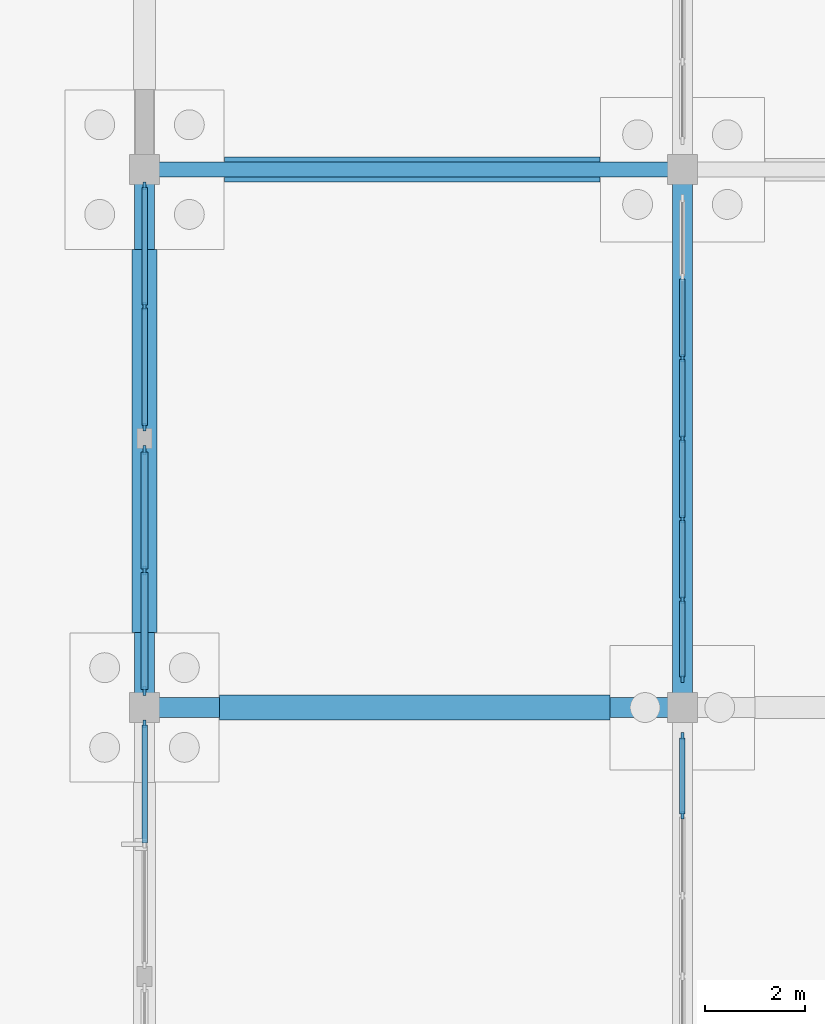
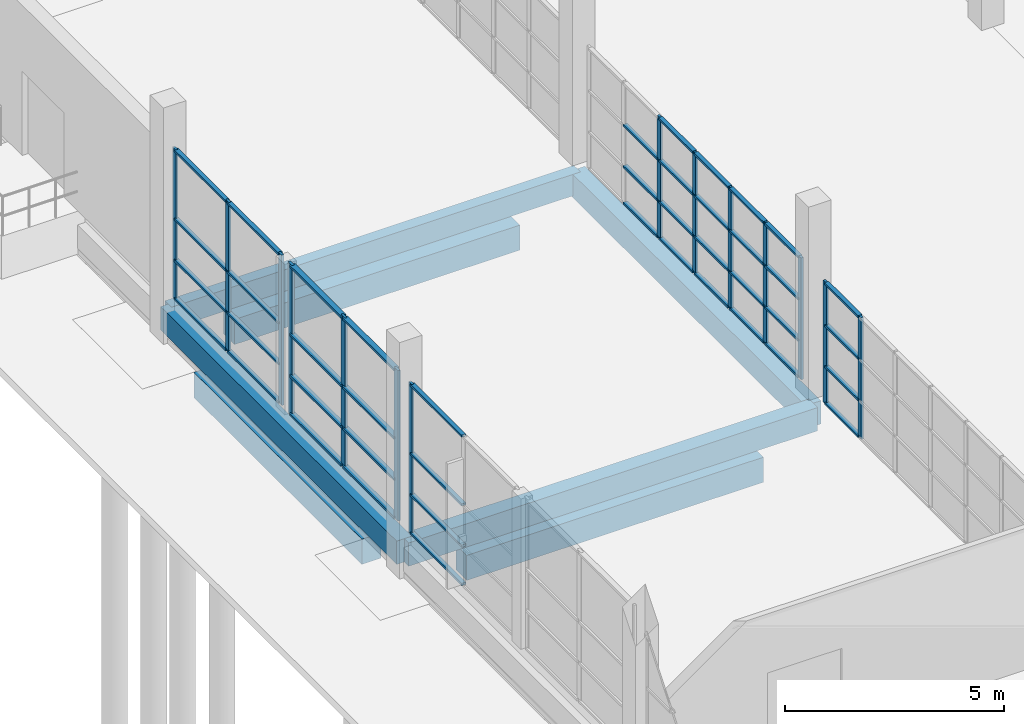
# One storey, part 22 of 138: 57 members, 7 beams, 5 elements without a shape of their own.
"""IFC4 building model written with IfcOpenShell, lengths in metres."""

from ifc_helpers import new_model, si_unit, direction, frame, origin, origin_2d, place, context, subcontext, project, spatial, rectangle, extrude, material, material_profile, profile_set, type_object, element, aggregate, save


model = new_model("IFC4")

# Units and contexts
model_context = context("Model", 3, precision=1e-05, world=origin(), true_north=direction((0.0, 1.0)))
body_context = subcontext(model_context, "Body", "Model", "MODEL_VIEW")
ifc_project = project(units=[si_unit("LENGTHUNIT", "METRE"), si_unit("AREAUNIT", "SQUARE_METRE"), si_unit("VOLUMEUNIT", "CUBIC_METRE"), si_unit("PLANEANGLEUNIT", "RADIAN"), si_unit("MASSUNIT", "GRAM", prefix="KILO")], contexts=[model_context])

# Site, building, storey
site_placement = place(None, origin())
site = spatial("IfcSite", under=ifc_project, at=site_placement, CompositionType="ELEMENT")
building_placement = place(site_placement, origin())
building = spatial("IfcBuilding", under=site, at=building_placement, Name="Zwinboog Wholesale Market", CompositionType="ELEMENT")
storey_placement = place(building_placement, origin())
storey = spatial("IfcBuildingStorey", under=building, at=storey_placement, Name="L00", CompositionType="ELEMENT", Elevation=0.0)

# Beams
ifc_material_1 = material(Name="Precast concrete C45/55", Category="concrete")
ifc_material_profile_1 = material_profile(ifc_material_1, rectangle(XDim=0.39990234375, YDim=0.64990234375, at=origin_2d()), Name="PC 400x650")
ifc_profile_set_1 = profile_set([ifc_material_profile_1], Name="Precast concrete C45/55")
beam_type_1 = type_object("IfcBeamType", Name="BT-05", PredefinedType="BEAM", material=ifc_profile_set_1)
for number, where, z_axis, x_axis, name in (
    (1, (0.0, 32.39990234375, -0.680908203125), (1.0, 0.0, 0.0), (0.0, 1.0, 0.0), "BG-05 (BMG-L00-0000-0324-0043)"),
    (2, (0.0, 32.39990234375, -0.680908203125), (0.0, 1.0, 0.0), (-1.0, 0.0, 0.0), "BG-05 (BMG-L00-0000-0324-0214)"),
    (3, (10.800048828125, 32.39990234375, -0.680908203125), (0.0, 1.0, 0.0), (-1.0, 0.0, 0.0), "BG-05 (BMG-L00-0108-0324-0226)"),
):
    element("IfcBeam", number, at=place(storey_placement, frame(where, z_axis=z_axis, x_axis=x_axis)), inside=storey, type_object=beam_type_1, Name=name, PredefinedType="BEAM", context=body_context, shape_type="SweptSolid", body=[
        extrude(rectangle(XDim=0.39990234375, YDim=0.64990234375, at=origin_2d()), origin(), (0.0, 0.0, 1.0), 10.800048828125),
    ])
ifc_material_profile_2 = material_profile(ifc_material_1, rectangle(XDim=0.300048828125, YDim=0.60009765625, at=origin_2d()), Name="PC 300x600")
ifc_profile_set_2 = profile_set([ifc_material_profile_2], Name="Precast concrete C45/55")
beam_type_2 = type_object("IfcBeamType", Name="BT-09", PredefinedType="SPANDREL", material=ifc_profile_set_2)
beam_1_placement = place(storey_placement, frame((0.0, 43.199951171875, -0.656005859375), z_axis=(1.0, 0.0, 0.0), x_axis=(0.0, 1.0, 0.0)))
element("IfcBeam", 4, at=beam_1_placement, inside=storey, type_object=beam_type_2, Name="SP-02 (BMG-L00-0000-0432-0055)", PredefinedType="SPANDREL", context=body_context, shape_type="SweptSolid", body=[
    extrude(rectangle(XDim=0.300048828125, YDim=0.60009765625, at=origin_2d()), origin(), (0.0, 0.0, 1.0), 10.800048828125),
])
ifc_material_2 = material(Name="Concrete C35/45", Category="concrete")
ifc_material_profile_3 = material_profile(ifc_material_2, rectangle(XDim=0.5, YDim=0.699951171875, at=origin_2d()), Name="RC 500x700")
ifc_profile_set_3 = profile_set([ifc_material_profile_3], Name="Concrete C35/45")
beam_type_3 = type_object("IfcBeamType", Name="BT-12", PredefinedType="USERDEFINED", material=ifc_profile_set_3)
beam_2_placement = place(storey_placement, frame((1.5048828125, 32.39990234375, -1.550048828125), z_axis=(1.0, 0.0, 0.0), x_axis=(0.0, 1.0, 0.0)))
element("IfcBeam", 5, at=beam_2_placement, inside=storey, type_object=beam_type_3, Name="GB-01 (BM-GB-0015)", ObjectType="GROUND_BEAM", PredefinedType="USERDEFINED", context=body_context, shape_type="SweptSolid", body=[
    extrude(rectangle(XDim=0.5, YDim=0.699951171875, at=origin_2d()), origin(), (0.0, 0.0, 1.0), 7.840087890625),
])
beam_3_placement = place(storey_placement, frame((1.60498046875, 43.199951171875, -1.550048828125), z_axis=(1.0, 0.0, 0.0), x_axis=(0.0, 1.0, 0.0)))
element("IfcBeam", 6, at=beam_3_placement, inside=storey, type_object=beam_type_3, Name="GB-01 (BM-GB-0033)", ObjectType="GROUND_BEAM", PredefinedType="USERDEFINED", context=body_context, shape_type="SweptSolid", body=[
    extrude(rectangle(XDim=0.5, YDim=0.699951171875, at=origin_2d()), origin(), (0.0, 0.0, 1.0), 7.5400390625),
])
beam_4_placement = place(storey_placement, frame((0.0, 33.905029296875, -1.550048828125), z_axis=(0.0, 1.0, 0.0), x_axis=(-1.0, 0.0, 0.0)))
element("IfcBeam", 7, at=beam_4_placement, inside=storey, type_object=beam_type_3, Name="GB-01 (BM-GB-0130)", ObjectType="GROUND_BEAM", PredefinedType="USERDEFINED", context=body_context, shape_type="SweptSolid", body=[
    extrude(rectangle(XDim=0.5, YDim=0.699951171875, at=origin_2d()), origin(), (0.0, 0.0, 1.0), 7.68994140625),
])

# Curtain wall, members
ifc_material_3 = material(Name="Aluminium thermally broken curtain wall", Category="aluminium")
curtain_wall_type_1 = type_object("IfcCurtainWallType", Name="CWT-STALL-18", PredefinedType="USERDEFINED", material=ifc_material_3)
curtain_wall_1_placement = place(storey_placement, origin())
curtain_wall_1 = element("IfcCurtainWall", 8, at=curtain_wall_1_placement, inside=storey, type_object=curtain_wall_type_1, Name="CW-01 (CW-L00-007)", ObjectType="STOREFRONT_GLAZING", PredefinedType="USERDEFINED")
ifc_material_4 = material(Name="Aluminium EN AW-6060", Category="aluminium")
ifc_material_profile_4 = material_profile(ifc_material_4, rectangle(XDim=0.06494140625, YDim=0.179931640625, at=origin_2d()), Name="AL 65x180")
ifc_profile_set_4 = profile_set([ifc_material_profile_4], Name="Aluminium EN AW-6060")
member_type_1 = type_object("IfcMemberType", Name="CWM-65x180", PredefinedType="MULLION", material=ifc_profile_set_4)
member_1_placement = place(storey_placement, frame((0.0, 32.7275390625, 0.0), z_axis=(0.0, 0.0, 1.0), x_axis=(-1.0, 0.0, 0.0)))
member_1 = element("IfcMember", 9, at=member_1_placement, type_object=member_type_1, Name="CW-01 mullion 1", PredefinedType="MULLION", context=body_context, shape_type="SweptSolid", body=[
    extrude(rectangle(XDim=0.06494140625, YDim=0.179931640625, at=origin_2d()), origin(), (0.0, 0.0, 1.0), 4.197998046875),
])
member_2_placement = place(storey_placement, frame((0.0, 35.1474609375, 0.0), z_axis=(0.0, 0.0, 1.0), x_axis=(-1.0, 0.0, 0.0)))
member_2 = element("IfcMember", 10, at=member_2_placement, type_object=member_type_1, Name="CW-01 mullion 2", PredefinedType="MULLION", context=body_context, shape_type="SweptSolid", body=[
    extrude(rectangle(XDim=0.06494140625, YDim=0.179931640625, at=origin_2d()), origin(), (0.0, 0.0, 1.0), 4.197998046875),
])
member_3_placement = place(storey_placement, frame((0.0, 37.5673828125, 0.0), z_axis=(0.0, 0.0, 1.0), x_axis=(-1.0, 0.0, 0.0)))
member_3 = element("IfcMember", 11, at=member_3_placement, type_object=member_type_1, Name="CW-01 mullion 3", PredefinedType="MULLION", context=body_context, shape_type="SweptSolid", body=[
    extrude(rectangle(XDim=0.06494140625, YDim=0.179931640625, at=origin_2d()), origin(), (0.0, 0.0, 1.0), 4.197998046875),
])

# Curtain wall, member
curtain_wall_type_2 = type_object("IfcCurtainWallType", Name="CWT-OFF-15", PredefinedType="USERDEFINED", material=ifc_material_3)
curtain_wall_2_placement = place(storey_placement, origin())
curtain_wall_2 = element("IfcCurtainWall", 12, at=curtain_wall_2_placement, inside=storey, type_object=curtain_wall_type_2, Name="CW-06 (CW-L00-006)", ObjectType="UNITIZED_CURTAIN_WALL", PredefinedType="USERDEFINED")
ifc_material_profile_5 = material_profile(ifc_material_4, rectangle(XDim=0.06005859375, YDim=0.14990234375, at=origin_2d()), Name="AL 60x150")
ifc_profile_set_5 = profile_set([ifc_material_profile_5], Name="Aluminium EN AW-6060")
member_type_2 = type_object("IfcMemberType", Name="CWM-60x150", PredefinedType="MULLION", material=ifc_profile_set_5)
member_4_placement = place(storey_placement, frame((0.0, 32.074951171875, 0.0), z_axis=(0.0, 0.0, 1.0), x_axis=(-1.0, 0.0, 0.0)))
member_4 = element("IfcMember", 13, at=member_4_placement, type_object=member_type_2, Name="CW-06 mullion 3", PredefinedType="MULLION", context=body_context, shape_type="SweptSolid", body=[
    extrude(rectangle(XDim=0.06005859375, YDim=0.14990234375, at=origin_2d()), origin(), (0.0, 0.0, 1.0), 4.197998046875),
])

# Curtain wall, members
curtain_wall_type_3 = type_object("IfcCurtainWallType", Name="CWT-STALL-20", PredefinedType="USERDEFINED", material=ifc_material_3)
curtain_wall_3_placement = place(storey_placement, origin())
curtain_wall_3 = element("IfcCurtainWall", 14, at=curtain_wall_3_placement, inside=storey, type_object=curtain_wall_type_3, Name="CW-02 (CW-L00-008)", ObjectType="STOREFRONT_GLAZING", PredefinedType="USERDEFINED")
member_5_placement = place(storey_placement, frame((0.0, 38.030029296875, 0.0), z_axis=(0.0, 0.0, 1.0), x_axis=(-1.0, 0.0, 0.0)))
member_5 = element("IfcMember", 15, at=member_5_placement, type_object=member_type_2, Name="CW-02 mullion 1", PredefinedType="MULLION", context=body_context, shape_type="SweptSolid", body=[
    extrude(rectangle(XDim=0.06005859375, YDim=0.14990234375, at=origin_2d()), origin(), (0.0, 0.0, 1.0), 4.197998046875),
])
member_6_placement = place(storey_placement, frame((0.0, 40.452392578125, 0.0), z_axis=(0.0, 0.0, 1.0), x_axis=(-1.0, 0.0, 0.0)))
member_6 = element("IfcMember", 16, at=member_6_placement, type_object=member_type_2, Name="CW-02 mullion 2", PredefinedType="MULLION", context=body_context, shape_type="SweptSolid", body=[
    extrude(rectangle(XDim=0.06005859375, YDim=0.14990234375, at=origin_2d()), origin(), (0.0, 0.0, 1.0), 4.197998046875),
])
member_7_placement = place(storey_placement, frame((0.0, 42.875, 0.0), z_axis=(0.0, 0.0, 1.0), x_axis=(-1.0, 0.0, 0.0)))
member_7 = element("IfcMember", 17, at=member_7_placement, type_object=member_type_2, Name="CW-02 mullion 3", PredefinedType="MULLION", context=body_context, shape_type="SweptSolid", body=[
    extrude(rectangle(XDim=0.06005859375, YDim=0.14990234375, at=origin_2d()), origin(), (0.0, 0.0, 1.0), 4.197998046875),
])

# Member
ifc_material_profile_6 = material_profile(ifc_material_4, rectangle(XDim=0.139892578125, YDim=0.06494140625, at=origin_2d()), Name="AL 65x140")
ifc_profile_set_6 = profile_set([ifc_material_profile_6], Name="Aluminium EN AW-6060")
member_type_3 = type_object("IfcMemberType", Name="CWT-65x140", PredefinedType="USERDEFINED", material=ifc_profile_set_6)
member_8_placement = place(storey_placement, frame((0.0, 32.760009765625, 0.032470703125), z_axis=(0.0, 1.0, 0.0), x_axis=(-1.0, 0.0, 0.0)))
member_8 = element("IfcMember", 18, at=member_8_placement, type_object=member_type_3, Name="CW-01 transom 1.1", ObjectType="TRANSOM", PredefinedType="USERDEFINED", context=body_context, shape_type="SweptSolid", body=[
    extrude(rectangle(XDim=0.139892578125, YDim=0.06494140625, at=origin_2d()), origin(), (0.0, 0.0, 1.0), 2.35498046875),
])

member_9_placement = place(storey_placement, frame((0.0, 32.760009765625, 1.10009765625), z_axis=(0.0, 1.0, 0.0), x_axis=(-1.0, 0.0, 0.0)))
member_9 = element("IfcMember", 19, at=member_9_placement, type_object=member_type_3, Name="CW-01 transom 1.2", ObjectType="TRANSOM", PredefinedType="USERDEFINED", context=body_context, shape_type="SweptSolid", body=[
    extrude(rectangle(XDim=0.139892578125, YDim=0.06494140625, at=origin_2d()), origin(), (0.0, 0.0, 1.0), 2.35498046875),
])

member_10_placement = place(storey_placement, frame((0.0, 32.760009765625, 2.25), z_axis=(0.0, 1.0, 0.0), x_axis=(-1.0, 0.0, 0.0)))
member_10 = element("IfcMember", 20, at=member_10_placement, type_object=member_type_3, Name="CW-01 transom 1.3", ObjectType="TRANSOM", PredefinedType="USERDEFINED", context=body_context, shape_type="SweptSolid", body=[
    extrude(rectangle(XDim=0.139892578125, YDim=0.06494140625, at=origin_2d()), origin(), (0.0, 0.0, 1.0), 2.35498046875),
])

member_11_placement = place(storey_placement, frame((0.0, 32.760009765625, 4.16552734375), z_axis=(0.0, 1.0, 0.0), x_axis=(-1.0, 0.0, 0.0)))
member_11 = element("IfcMember", 21, at=member_11_placement, type_object=member_type_3, Name="CW-01 transom 1.4", ObjectType="TRANSOM", PredefinedType="USERDEFINED", context=body_context, shape_type="SweptSolid", body=[
    extrude(rectangle(XDim=0.139892578125, YDim=0.06494140625, at=origin_2d()), origin(), (0.0, 0.0, 1.0), 2.35498046875),
])

member_12_placement = place(storey_placement, frame((0.0, 35.179931640625, 0.032470703125), z_axis=(0.0, 1.0, 0.0), x_axis=(-1.0, 0.0, 0.0)))
member_12 = element("IfcMember", 22, at=member_12_placement, type_object=member_type_3, Name="CW-01 transom 2.1", ObjectType="TRANSOM", PredefinedType="USERDEFINED", context=body_context, shape_type="SweptSolid", body=[
    extrude(rectangle(XDim=0.139892578125, YDim=0.06494140625, at=origin_2d()), origin(), (0.0, 0.0, 1.0), 2.35498046875),
])

member_13_placement = place(storey_placement, frame((0.0, 35.179931640625, 1.10009765625), z_axis=(0.0, 1.0, 0.0), x_axis=(-1.0, 0.0, 0.0)))
member_13 = element("IfcMember", 23, at=member_13_placement, type_object=member_type_3, Name="CW-01 transom 2.2", ObjectType="TRANSOM", PredefinedType="USERDEFINED", context=body_context, shape_type="SweptSolid", body=[
    extrude(rectangle(XDim=0.139892578125, YDim=0.06494140625, at=origin_2d()), origin(), (0.0, 0.0, 1.0), 2.35498046875),
])

member_14_placement = place(storey_placement, frame((0.0, 35.179931640625, 2.25), z_axis=(0.0, 1.0, 0.0), x_axis=(-1.0, 0.0, 0.0)))
member_14 = element("IfcMember", 24, at=member_14_placement, type_object=member_type_3, Name="CW-01 transom 2.3", ObjectType="TRANSOM", PredefinedType="USERDEFINED", context=body_context, shape_type="SweptSolid", body=[
    extrude(rectangle(XDim=0.139892578125, YDim=0.06494140625, at=origin_2d()), origin(), (0.0, 0.0, 1.0), 2.35498046875),
])

member_15_placement = place(storey_placement, frame((0.0, 35.179931640625, 4.16552734375), z_axis=(0.0, 1.0, 0.0), x_axis=(-1.0, 0.0, 0.0)))
member_15 = element("IfcMember", 25, at=member_15_placement, type_object=member_type_3, Name="CW-01 transom 2.4", ObjectType="TRANSOM", PredefinedType="USERDEFINED", context=body_context, shape_type="SweptSolid", body=[
    extrude(rectangle(XDim=0.139892578125, YDim=0.06494140625, at=origin_2d()), origin(), (0.0, 0.0, 1.0), 2.35498046875),
])

aggregate(curtain_wall_1, [member_1, member_2, member_3, member_8, member_9, member_10, member_11, member_12, member_13, member_14, member_15])

ifc_material_profile_7 = material_profile(ifc_material_4, rectangle(XDim=0.110107421875, YDim=0.06005859375, at=origin_2d()), Name="AL 60x110")
ifc_profile_set_7 = profile_set([ifc_material_profile_7], Name="Aluminium EN AW-6060")
member_type_4 = type_object("IfcMemberType", Name="CWT-60x110", PredefinedType="USERDEFINED", material=ifc_profile_set_7)
member_16_placement = place(storey_placement, frame((0.0, 29.6826171875, 0.030029296875), z_axis=(0.0, 1.0, 0.0), x_axis=(-1.0, 0.0, 0.0)))
member_16 = element("IfcMember", 26, at=member_16_placement, type_object=member_type_4, Name="CW-06 transom 2.1", ObjectType="TRANSOM", PredefinedType="USERDEFINED", context=body_context, shape_type="SweptSolid", body=[
    extrude(rectangle(XDim=0.110107421875, YDim=0.06005859375, at=origin_2d()), origin(), (0.0, 0.0, 1.0), 2.3623046875),
])

member_17_placement = place(storey_placement, frame((0.0, 29.6826171875, 1.10009765625), z_axis=(0.0, 1.0, 0.0), x_axis=(-1.0, 0.0, 0.0)))
member_17 = element("IfcMember", 27, at=member_17_placement, type_object=member_type_4, Name="CW-06 transom 2.2", ObjectType="TRANSOM", PredefinedType="USERDEFINED", context=body_context, shape_type="SweptSolid", body=[
    extrude(rectangle(XDim=0.110107421875, YDim=0.06005859375, at=origin_2d()), origin(), (0.0, 0.0, 1.0), 2.3623046875),
])

member_18_placement = place(storey_placement, frame((0.0, 29.6826171875, 2.25), z_axis=(0.0, 1.0, 0.0), x_axis=(-1.0, 0.0, 0.0)))
member_18 = element("IfcMember", 28, at=member_18_placement, type_object=member_type_4, Name="CW-06 transom 2.3", ObjectType="TRANSOM", PredefinedType="USERDEFINED", context=body_context, shape_type="SweptSolid", body=[
    extrude(rectangle(XDim=0.110107421875, YDim=0.06005859375, at=origin_2d()), origin(), (0.0, 0.0, 1.0), 2.3623046875),
])

member_19_placement = place(storey_placement, frame((0.0, 29.6826171875, 4.16796875), z_axis=(0.0, 1.0, 0.0), x_axis=(-1.0, 0.0, 0.0)))
member_19 = element("IfcMember", 29, at=member_19_placement, type_object=member_type_4, Name="CW-06 transom 2.4", ObjectType="TRANSOM", PredefinedType="USERDEFINED", context=body_context, shape_type="SweptSolid", body=[
    extrude(rectangle(XDim=0.110107421875, YDim=0.06005859375, at=origin_2d()), origin(), (0.0, 0.0, 1.0), 2.3623046875),
])

aggregate(curtain_wall_2, [member_4, member_16, member_17, member_18, member_19])

member_20_placement = place(storey_placement, frame((0.0, 38.06005859375, 0.030029296875), z_axis=(0.0, 1.0, 0.0), x_axis=(-1.0, 0.0, 0.0)))
member_20 = element("IfcMember", 30, at=member_20_placement, type_object=member_type_4, Name="CW-02 transom 1.1", ObjectType="TRANSOM", PredefinedType="USERDEFINED", context=body_context, shape_type="SweptSolid", body=[
    extrude(rectangle(XDim=0.110107421875, YDim=0.06005859375, at=origin_2d()), origin(), (0.0, 0.0, 1.0), 2.362548828125),
])

member_21_placement = place(storey_placement, frame((0.0, 38.06005859375, 1.10009765625), z_axis=(0.0, 1.0, 0.0), x_axis=(-1.0, 0.0, 0.0)))
member_21 = element("IfcMember", 31, at=member_21_placement, type_object=member_type_4, Name="CW-02 transom 1.2", ObjectType="TRANSOM", PredefinedType="USERDEFINED", context=body_context, shape_type="SweptSolid", body=[
    extrude(rectangle(XDim=0.110107421875, YDim=0.06005859375, at=origin_2d()), origin(), (0.0, 0.0, 1.0), 2.362548828125),
])

member_22_placement = place(storey_placement, frame((0.0, 38.06005859375, 2.25), z_axis=(0.0, 1.0, 0.0), x_axis=(-1.0, 0.0, 0.0)))
member_22 = element("IfcMember", 32, at=member_22_placement, type_object=member_type_4, Name="CW-02 transom 1.3", ObjectType="TRANSOM", PredefinedType="USERDEFINED", context=body_context, shape_type="SweptSolid", body=[
    extrude(rectangle(XDim=0.110107421875, YDim=0.06005859375, at=origin_2d()), origin(), (0.0, 0.0, 1.0), 2.362548828125),
])

member_23_placement = place(storey_placement, frame((0.0, 38.06005859375, 4.16796875), z_axis=(0.0, 1.0, 0.0), x_axis=(-1.0, 0.0, 0.0)))
member_23 = element("IfcMember", 33, at=member_23_placement, type_object=member_type_4, Name="CW-02 transom 1.4", ObjectType="TRANSOM", PredefinedType="USERDEFINED", context=body_context, shape_type="SweptSolid", body=[
    extrude(rectangle(XDim=0.110107421875, YDim=0.06005859375, at=origin_2d()), origin(), (0.0, 0.0, 1.0), 2.362548828125),
])

member_24_placement = place(storey_placement, frame((0.0, 40.482421875, 0.030029296875), z_axis=(0.0, 1.0, 0.0), x_axis=(-1.0, 0.0, 0.0)))
member_24 = element("IfcMember", 34, at=member_24_placement, type_object=member_type_4, Name="CW-02 transom 2.1", ObjectType="TRANSOM", PredefinedType="USERDEFINED", context=body_context, shape_type="SweptSolid", body=[
    extrude(rectangle(XDim=0.110107421875, YDim=0.06005859375, at=origin_2d()), origin(), (0.0, 0.0, 1.0), 2.362548828125),
])

member_25_placement = place(storey_placement, frame((0.0, 40.482421875, 1.10009765625), z_axis=(0.0, 1.0, 0.0), x_axis=(-1.0, 0.0, 0.0)))
member_25 = element("IfcMember", 35, at=member_25_placement, type_object=member_type_4, Name="CW-02 transom 2.2", ObjectType="TRANSOM", PredefinedType="USERDEFINED", context=body_context, shape_type="SweptSolid", body=[
    extrude(rectangle(XDim=0.110107421875, YDim=0.06005859375, at=origin_2d()), origin(), (0.0, 0.0, 1.0), 2.362548828125),
])

member_26_placement = place(storey_placement, frame((0.0, 40.482421875, 2.25), z_axis=(0.0, 1.0, 0.0), x_axis=(-1.0, 0.0, 0.0)))
member_26 = element("IfcMember", 36, at=member_26_placement, type_object=member_type_4, Name="CW-02 transom 2.3", ObjectType="TRANSOM", PredefinedType="USERDEFINED", context=body_context, shape_type="SweptSolid", body=[
    extrude(rectangle(XDim=0.110107421875, YDim=0.06005859375, at=origin_2d()), origin(), (0.0, 0.0, 1.0), 2.362548828125),
])

member_27_placement = place(storey_placement, frame((0.0, 40.482421875, 4.16796875), z_axis=(0.0, 1.0, 0.0), x_axis=(-1.0, 0.0, 0.0)))
member_27 = element("IfcMember", 37, at=member_27_placement, type_object=member_type_4, Name="CW-02 transom 2.4", ObjectType="TRANSOM", PredefinedType="USERDEFINED", context=body_context, shape_type="SweptSolid", body=[
    extrude(rectangle(XDim=0.110107421875, YDim=0.06005859375, at=origin_2d()), origin(), (0.0, 0.0, 1.0), 2.362548828125),
])

aggregate(curtain_wall_3, [member_5, member_6, member_7, member_20, member_21, member_22, member_23, member_24, member_25, member_26, member_27])

# Curtain wall, members
curtain_wall_type_4 = type_object("IfcCurtainWallType", Name="CWT-INT-STALL", PredefinedType="USERDEFINED", material=ifc_material_3)
curtain_wall_4_placement = place(storey_placement, origin())
curtain_wall_4 = element("IfcCurtainWall", 38, at=curtain_wall_4_placement, inside=storey, type_object=curtain_wall_type_4, Name="CW-07 (CW-STL-211)", ObjectType="STOREFRONT_GLAZING", PredefinedType="USERDEFINED")
ifc_material_profile_8 = material_profile(ifc_material_4, rectangle(XDim=0.06005859375, YDim=0.14990234375, at=origin_2d()), Name="AL 60x150")
ifc_profile_set_8 = profile_set([ifc_material_profile_8], Name="Aluminium EN AW-6060")
member_type_5 = type_object("IfcMemberType", Name="CWM-INT-60x120", PredefinedType="MULLION", material=ifc_profile_set_8)
member_28_placement = place(storey_placement, frame((10.800048828125, 30.2333984375, 0.0), z_axis=(0.0, 0.0, 1.0), x_axis=(-1.0, 0.0, 0.0)))
member_28 = element("IfcMember", 39, at=member_28_placement, type_object=member_type_5, Name="CW-07 mullion 6", PredefinedType="MULLION", context=body_context, shape_type="SweptSolid", body=[
    extrude(rectangle(XDim=0.06005859375, YDim=0.14990234375, at=origin_2d()), origin(), (0.0, 0.0, 1.0), 3.39990234375),
])
member_29_placement = place(storey_placement, frame((10.800048828125, 31.820068359375, 0.0), z_axis=(0.0, 0.0, 1.0), x_axis=(-1.0, 0.0, 0.0)))
member_29 = element("IfcMember", 40, at=member_29_placement, type_object=member_type_5, Name="CW-07 mullion 7", PredefinedType="MULLION", context=body_context, shape_type="SweptSolid", body=[
    extrude(rectangle(XDim=0.06005859375, YDim=0.14990234375, at=origin_2d()), origin(), (0.0, 0.0, 1.0), 3.39990234375),
])

curtain_wall_5_placement = place(storey_placement, origin())
curtain_wall_5 = element("IfcCurtainWall", 41, at=curtain_wall_5_placement, inside=storey, type_object=curtain_wall_type_4, Name="CW-07 (CW-STL-212)", ObjectType="STOREFRONT_GLAZING", PredefinedType="USERDEFINED")
member_30_placement = place(storey_placement, frame((10.800048828125, 32.97998046875, 0.0), z_axis=(0.0, 0.0, 1.0), x_axis=(-1.0, 0.0, 0.0)))
member_30 = element("IfcMember", 42, at=member_30_placement, type_object=member_type_5, Name="CW-07 mullion 1", PredefinedType="MULLION", context=body_context, shape_type="SweptSolid", body=[
    extrude(rectangle(XDim=0.06005859375, YDim=0.14990234375, at=origin_2d()), origin(), (0.0, 0.0, 1.0), 3.39990234375),
])
member_31_placement = place(storey_placement, frame((10.800048828125, 34.566650390625, 0.0), z_axis=(0.0, 0.0, 1.0), x_axis=(-1.0, 0.0, 0.0)))
member_31 = element("IfcMember", 43, at=member_31_placement, type_object=member_type_5, Name="CW-07 mullion 2", PredefinedType="MULLION", context=body_context, shape_type="SweptSolid", body=[
    extrude(rectangle(XDim=0.06005859375, YDim=0.14990234375, at=origin_2d()), origin(), (0.0, 0.0, 1.0), 3.39990234375),
])
member_32_placement = place(storey_placement, frame((10.800048828125, 36.183349609375, 0.0), z_axis=(0.0, 0.0, 1.0), x_axis=(-1.0, 0.0, 0.0)))
member_32 = element("IfcMember", 44, at=member_32_placement, type_object=member_type_5, Name="CW-07 mullion 3", PredefinedType="MULLION", context=body_context, shape_type="SweptSolid", body=[
    extrude(rectangle(XDim=0.06005859375, YDim=0.14990234375, at=origin_2d()), origin(), (0.0, 0.0, 1.0), 3.39990234375),
])
member_33_placement = place(storey_placement, frame((10.800048828125, 37.800048828125, 0.0), z_axis=(0.0, 0.0, 1.0), x_axis=(-1.0, 0.0, 0.0)))
member_33 = element("IfcMember", 45, at=member_33_placement, type_object=member_type_5, Name="CW-07 mullion 4", PredefinedType="MULLION", context=body_context, shape_type="SweptSolid", body=[
    extrude(rectangle(XDim=0.06005859375, YDim=0.14990234375, at=origin_2d()), origin(), (0.0, 0.0, 1.0), 3.39990234375),
])
member_34_placement = place(storey_placement, frame((10.800048828125, 39.416748046875, 0.0), z_axis=(0.0, 0.0, 1.0), x_axis=(-1.0, 0.0, 0.0)))
member_34 = element("IfcMember", 46, at=member_34_placement, type_object=member_type_5, Name="CW-07 mullion 5", PredefinedType="MULLION", context=body_context, shape_type="SweptSolid", body=[
    extrude(rectangle(XDim=0.06005859375, YDim=0.14990234375, at=origin_2d()), origin(), (0.0, 0.0, 1.0), 3.39990234375),
])

# Member
ifc_material_profile_9 = material_profile(ifc_material_4, rectangle(XDim=0.110107421875, YDim=0.06005859375, at=origin_2d()), Name="AL 60x110")
ifc_profile_set_9 = profile_set([ifc_material_profile_9], Name="Aluminium EN AW-6060")
member_type_6 = type_object("IfcMemberType", Name="CWT-INT-60x100", PredefinedType="USERDEFINED", material=ifc_profile_set_9)
member_35_placement = place(storey_placement, frame((10.800048828125, 30.263427734375, 0.030029296875), z_axis=(0.0, 1.0, 0.0), x_axis=(-1.0, 0.0, 0.0)))
member_35 = element("IfcMember", 47, at=member_35_placement, type_object=member_type_6, Name="CW-07 transom 6.1", ObjectType="TRANSOM", PredefinedType="USERDEFINED", context=body_context, shape_type="SweptSolid", body=[
    extrude(rectangle(XDim=0.110107421875, YDim=0.06005859375, at=origin_2d()), origin(), (0.0, 0.0, 1.0), 1.526611328125),
])

member_36_placement = place(storey_placement, frame((10.800048828125, 30.263427734375, 1.050048828125), z_axis=(0.0, 1.0, 0.0), x_axis=(-1.0, 0.0, 0.0)))
member_36 = element("IfcMember", 48, at=member_36_placement, type_object=member_type_6, Name="CW-07 transom 6.2", ObjectType="TRANSOM", PredefinedType="USERDEFINED", context=body_context, shape_type="SweptSolid", body=[
    extrude(rectangle(XDim=0.110107421875, YDim=0.06005859375, at=origin_2d()), origin(), (0.0, 0.0, 1.0), 1.526611328125),
])

member_37_placement = place(storey_placement, frame((10.800048828125, 30.263427734375, 2.199951171875), z_axis=(0.0, 1.0, 0.0), x_axis=(-1.0, 0.0, 0.0)))
member_37 = element("IfcMember", 49, at=member_37_placement, type_object=member_type_6, Name="CW-07 transom 6.3", ObjectType="TRANSOM", PredefinedType="USERDEFINED", context=body_context, shape_type="SweptSolid", body=[
    extrude(rectangle(XDim=0.110107421875, YDim=0.06005859375, at=origin_2d()), origin(), (0.0, 0.0, 1.0), 1.526611328125),
])

member_38_placement = place(storey_placement, frame((10.800048828125, 30.263427734375, 3.3701171875), z_axis=(0.0, 1.0, 0.0), x_axis=(-1.0, 0.0, 0.0)))
member_38 = element("IfcMember", 50, at=member_38_placement, type_object=member_type_6, Name="CW-07 transom 6.4", ObjectType="TRANSOM", PredefinedType="USERDEFINED", context=body_context, shape_type="SweptSolid", body=[
    extrude(rectangle(XDim=0.110107421875, YDim=0.06005859375, at=origin_2d()), origin(), (0.0, 0.0, 1.0), 1.526611328125),
])

aggregate(curtain_wall_4, [member_28, member_29, member_35, member_36, member_37, member_38])

member_39_placement = place(storey_placement, frame((10.800048828125, 33.010009765625, 0.030029296875), z_axis=(0.0, 1.0, 0.0), x_axis=(-1.0, 0.0, 0.0)))
member_39 = element("IfcMember", 51, at=member_39_placement, type_object=member_type_6, Name="CW-07 transom 1.1", ObjectType="TRANSOM", PredefinedType="USERDEFINED", context=body_context, shape_type="SweptSolid", body=[
    extrude(rectangle(XDim=0.110107421875, YDim=0.06005859375, at=origin_2d()), origin(), (0.0, 0.0, 1.0), 1.526611328125),
])

member_40_placement = place(storey_placement, frame((10.800048828125, 33.010009765625, 1.050048828125), z_axis=(0.0, 1.0, 0.0), x_axis=(-1.0, 0.0, 0.0)))
member_40 = element("IfcMember", 52, at=member_40_placement, type_object=member_type_6, Name="CW-07 transom 1.2", ObjectType="TRANSOM", PredefinedType="USERDEFINED", context=body_context, shape_type="SweptSolid", body=[
    extrude(rectangle(XDim=0.110107421875, YDim=0.06005859375, at=origin_2d()), origin(), (0.0, 0.0, 1.0), 1.526611328125),
])

member_41_placement = place(storey_placement, frame((10.800048828125, 33.010009765625, 2.199951171875), z_axis=(0.0, 1.0, 0.0), x_axis=(-1.0, 0.0, 0.0)))
member_41 = element("IfcMember", 53, at=member_41_placement, type_object=member_type_6, Name="CW-07 transom 1.3", ObjectType="TRANSOM", PredefinedType="USERDEFINED", context=body_context, shape_type="SweptSolid", body=[
    extrude(rectangle(XDim=0.110107421875, YDim=0.06005859375, at=origin_2d()), origin(), (0.0, 0.0, 1.0), 1.526611328125),
])

member_42_placement = place(storey_placement, frame((10.800048828125, 33.010009765625, 3.3701171875), z_axis=(0.0, 1.0, 0.0), x_axis=(-1.0, 0.0, 0.0)))
member_42 = element("IfcMember", 54, at=member_42_placement, type_object=member_type_6, Name="CW-07 transom 1.4", ObjectType="TRANSOM", PredefinedType="USERDEFINED", context=body_context, shape_type="SweptSolid", body=[
    extrude(rectangle(XDim=0.110107421875, YDim=0.06005859375, at=origin_2d()), origin(), (0.0, 0.0, 1.0), 1.526611328125),
])

member_43_placement = place(storey_placement, frame((10.800048828125, 34.5966796875, 0.030029296875), z_axis=(0.0, 1.0, 0.0), x_axis=(-1.0, 0.0, 0.0)))
member_43 = element("IfcMember", 55, at=member_43_placement, type_object=member_type_6, Name="CW-07 transom 2.1", ObjectType="TRANSOM", PredefinedType="USERDEFINED", context=body_context, shape_type="SweptSolid", body=[
    extrude(rectangle(XDim=0.110107421875, YDim=0.06005859375, at=origin_2d()), origin(), (0.0, 0.0, 1.0), 1.556640625),
])

member_44_placement = place(storey_placement, frame((10.800048828125, 34.5966796875, 1.050048828125), z_axis=(0.0, 1.0, 0.0), x_axis=(-1.0, 0.0, 0.0)))
member_44 = element("IfcMember", 56, at=member_44_placement, type_object=member_type_6, Name="CW-07 transom 2.2", ObjectType="TRANSOM", PredefinedType="USERDEFINED", context=body_context, shape_type="SweptSolid", body=[
    extrude(rectangle(XDim=0.110107421875, YDim=0.06005859375, at=origin_2d()), origin(), (0.0, 0.0, 1.0), 1.556640625),
])

member_45_placement = place(storey_placement, frame((10.800048828125, 34.5966796875, 2.199951171875), z_axis=(0.0, 1.0, 0.0), x_axis=(-1.0, 0.0, 0.0)))
member_45 = element("IfcMember", 57, at=member_45_placement, type_object=member_type_6, Name="CW-07 transom 2.3", ObjectType="TRANSOM", PredefinedType="USERDEFINED", context=body_context, shape_type="SweptSolid", body=[
    extrude(rectangle(XDim=0.110107421875, YDim=0.06005859375, at=origin_2d()), origin(), (0.0, 0.0, 1.0), 1.556640625),
])

member_46_placement = place(storey_placement, frame((10.800048828125, 34.5966796875, 3.3701171875), z_axis=(0.0, 1.0, 0.0), x_axis=(-1.0, 0.0, 0.0)))
member_46 = element("IfcMember", 58, at=member_46_placement, type_object=member_type_6, Name="CW-07 transom 2.4", ObjectType="TRANSOM", PredefinedType="USERDEFINED", context=body_context, shape_type="SweptSolid", body=[
    extrude(rectangle(XDim=0.110107421875, YDim=0.06005859375, at=origin_2d()), origin(), (0.0, 0.0, 1.0), 1.556640625),
])

member_47_placement = place(storey_placement, frame((10.800048828125, 36.21337890625, 0.030029296875), z_axis=(0.0, 1.0, 0.0), x_axis=(-1.0, 0.0, 0.0)))
member_47 = element("IfcMember", 59, at=member_47_placement, type_object=member_type_6, Name="CW-07 transom 3.1", ObjectType="TRANSOM", PredefinedType="USERDEFINED", context=body_context, shape_type="SweptSolid", body=[
    extrude(rectangle(XDim=0.110107421875, YDim=0.06005859375, at=origin_2d()), origin(), (0.0, 0.0, 1.0), 1.556640625),
])

member_48_placement = place(storey_placement, frame((10.800048828125, 36.21337890625, 1.050048828125), z_axis=(0.0, 1.0, 0.0), x_axis=(-1.0, 0.0, 0.0)))
member_48 = element("IfcMember", 60, at=member_48_placement, type_object=member_type_6, Name="CW-07 transom 3.2", ObjectType="TRANSOM", PredefinedType="USERDEFINED", context=body_context, shape_type="SweptSolid", body=[
    extrude(rectangle(XDim=0.110107421875, YDim=0.06005859375, at=origin_2d()), origin(), (0.0, 0.0, 1.0), 1.556640625),
])

member_49_placement = place(storey_placement, frame((10.800048828125, 36.21337890625, 2.199951171875), z_axis=(0.0, 1.0, 0.0), x_axis=(-1.0, 0.0, 0.0)))
member_49 = element("IfcMember", 61, at=member_49_placement, type_object=member_type_6, Name="CW-07 transom 3.3", ObjectType="TRANSOM", PredefinedType="USERDEFINED", context=body_context, shape_type="SweptSolid", body=[
    extrude(rectangle(XDim=0.110107421875, YDim=0.06005859375, at=origin_2d()), origin(), (0.0, 0.0, 1.0), 1.556640625),
])

member_50_placement = place(storey_placement, frame((10.800048828125, 36.21337890625, 3.3701171875), z_axis=(0.0, 1.0, 0.0), x_axis=(-1.0, 0.0, 0.0)))
member_50 = element("IfcMember", 62, at=member_50_placement, type_object=member_type_6, Name="CW-07 transom 3.4", ObjectType="TRANSOM", PredefinedType="USERDEFINED", context=body_context, shape_type="SweptSolid", body=[
    extrude(rectangle(XDim=0.110107421875, YDim=0.06005859375, at=origin_2d()), origin(), (0.0, 0.0, 1.0), 1.556640625),
])

member_51_placement = place(storey_placement, frame((10.800048828125, 37.830078125, 0.030029296875), z_axis=(0.0, 1.0, 0.0), x_axis=(-1.0, 0.0, 0.0)))
member_51 = element("IfcMember", 63, at=member_51_placement, type_object=member_type_6, Name="CW-07 transom 4.1", ObjectType="TRANSOM", PredefinedType="USERDEFINED", context=body_context, shape_type="SweptSolid", body=[
    extrude(rectangle(XDim=0.110107421875, YDim=0.06005859375, at=origin_2d()), origin(), (0.0, 0.0, 1.0), 1.556640625),
])

member_52_placement = place(storey_placement, frame((10.800048828125, 37.830078125, 1.050048828125), z_axis=(0.0, 1.0, 0.0), x_axis=(-1.0, 0.0, 0.0)))
member_52 = element("IfcMember", 64, at=member_52_placement, type_object=member_type_6, Name="CW-07 transom 4.2", ObjectType="TRANSOM", PredefinedType="USERDEFINED", context=body_context, shape_type="SweptSolid", body=[
    extrude(rectangle(XDim=0.110107421875, YDim=0.06005859375, at=origin_2d()), origin(), (0.0, 0.0, 1.0), 1.556640625),
])

member_53_placement = place(storey_placement, frame((10.800048828125, 37.830078125, 2.199951171875), z_axis=(0.0, 1.0, 0.0), x_axis=(-1.0, 0.0, 0.0)))
member_53 = element("IfcMember", 65, at=member_53_placement, type_object=member_type_6, Name="CW-07 transom 4.3", ObjectType="TRANSOM", PredefinedType="USERDEFINED", context=body_context, shape_type="SweptSolid", body=[
    extrude(rectangle(XDim=0.110107421875, YDim=0.06005859375, at=origin_2d()), origin(), (0.0, 0.0, 1.0), 1.556640625),
])

member_54_placement = place(storey_placement, frame((10.800048828125, 37.830078125, 3.3701171875), z_axis=(0.0, 1.0, 0.0), x_axis=(-1.0, 0.0, 0.0)))
member_54 = element("IfcMember", 66, at=member_54_placement, type_object=member_type_6, Name="CW-07 transom 4.4", ObjectType="TRANSOM", PredefinedType="USERDEFINED", context=body_context, shape_type="SweptSolid", body=[
    extrude(rectangle(XDim=0.110107421875, YDim=0.06005859375, at=origin_2d()), origin(), (0.0, 0.0, 1.0), 1.556640625),
])

member_55_placement = place(storey_placement, frame((10.800048828125, 39.44677734375, 0.030029296875), z_axis=(0.0, 1.0, 0.0), x_axis=(-1.0, 0.0, 0.0)))
member_55 = element("IfcMember", 67, at=member_55_placement, type_object=member_type_6, Name="CW-07 transom 5.1", ObjectType="TRANSOM", PredefinedType="USERDEFINED", context=body_context, shape_type="SweptSolid", body=[
    extrude(rectangle(XDim=0.110107421875, YDim=0.06005859375, at=origin_2d()), origin(), (0.0, 0.0, 1.0), 1.556640625),
])

member_56_placement = place(storey_placement, frame((10.800048828125, 39.44677734375, 1.050048828125), z_axis=(0.0, 1.0, 0.0), x_axis=(-1.0, 0.0, 0.0)))
member_56 = element("IfcMember", 68, at=member_56_placement, type_object=member_type_6, Name="CW-07 transom 5.2", ObjectType="TRANSOM", PredefinedType="USERDEFINED", context=body_context, shape_type="SweptSolid", body=[
    extrude(rectangle(XDim=0.110107421875, YDim=0.06005859375, at=origin_2d()), origin(), (0.0, 0.0, 1.0), 1.556640625),
])

member_57_placement = place(storey_placement, frame((10.800048828125, 39.44677734375, 2.199951171875), z_axis=(0.0, 1.0, 0.0), x_axis=(-1.0, 0.0, 0.0)))
member_57 = element("IfcMember", 69, at=member_57_placement, type_object=member_type_6, Name="CW-07 transom 5.3", ObjectType="TRANSOM", PredefinedType="USERDEFINED", context=body_context, shape_type="SweptSolid", body=[
    extrude(rectangle(XDim=0.110107421875, YDim=0.06005859375, at=origin_2d()), origin(), (0.0, 0.0, 1.0), 1.556640625),
])

aggregate(curtain_wall_5, [member_30, member_31, member_32, member_33, member_34, member_39, member_40, member_41, member_42, member_43, member_44, member_45, member_46, member_47, member_48, member_49, member_50, member_51, member_52, member_53, member_54, member_55, member_56, member_57])

save(model, "model.ifc")
